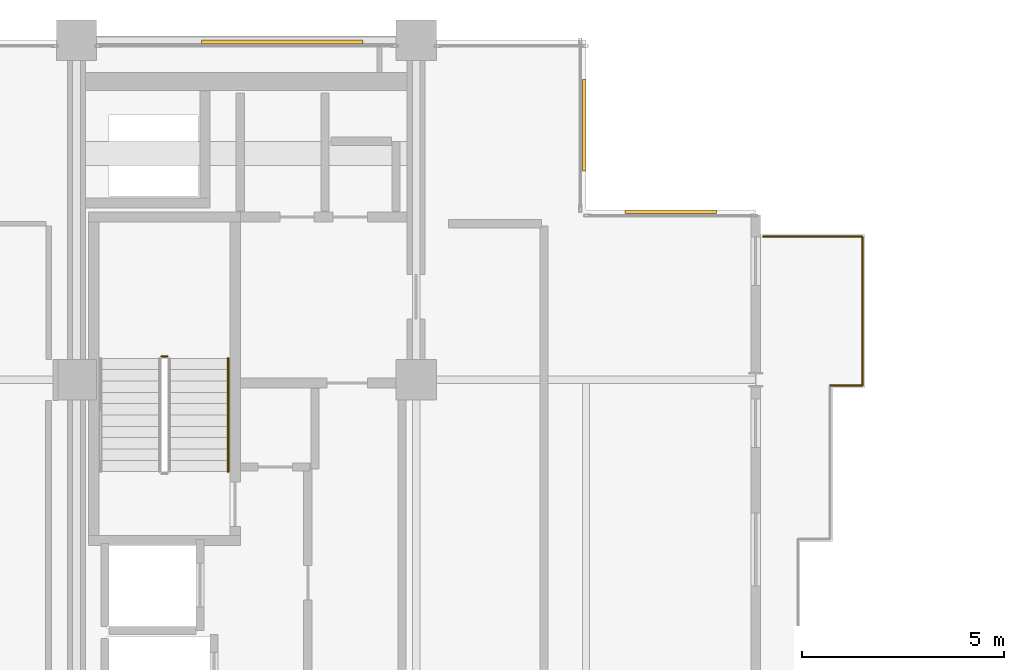
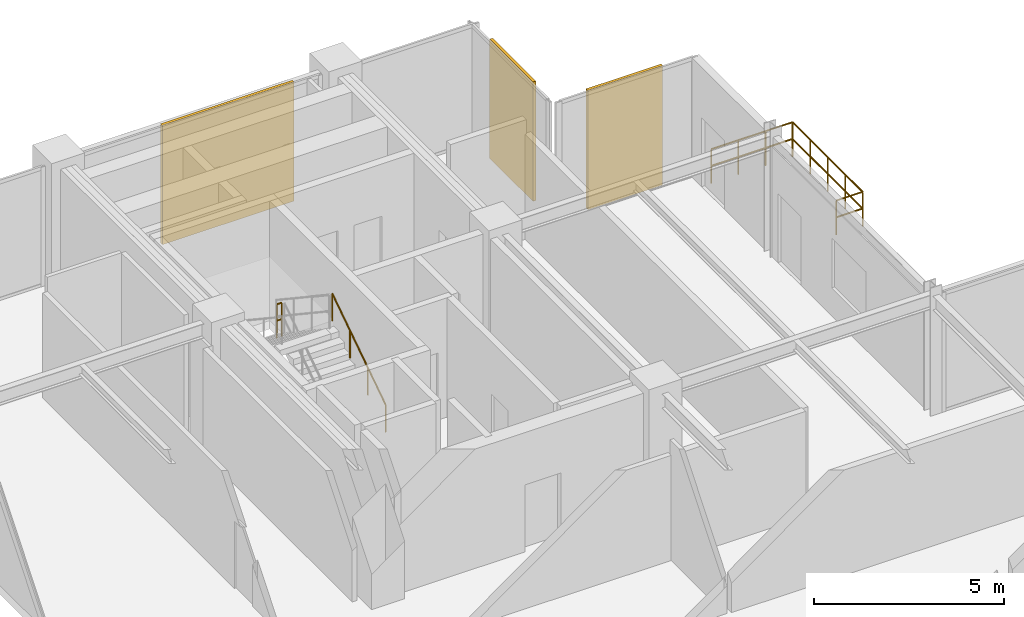
# One storey, part 25 of 25: 5 railings, 3 coverings.
"""IFC4 building model written with IfcOpenShell, lengths in metres."""

from ifc_helpers import new_model, si_unit, direction, frame, origin, origin_2d, place, context, subcontext, project, spatial, rectangle, circle, extrude, material, layer, layer_set, type_object, element, save


model = new_model("IFC4")

# Units and contexts
model_context = context("Model", 3, precision=1e-05, world=origin(), true_north=direction((0.0, 1.0)))
body_context = subcontext(model_context, "Body", "Model", "MODEL_VIEW")
ifc_project = project(units=[si_unit("LENGTHUNIT", "METRE"), si_unit("AREAUNIT", "SQUARE_METRE"), si_unit("VOLUMEUNIT", "CUBIC_METRE"), si_unit("PLANEANGLEUNIT", "RADIAN"), si_unit("MASSUNIT", "GRAM", prefix="KILO")], contexts=[model_context])

# Site, building, storey
site_placement = place(None, origin())
site = spatial("IfcSite", under=ifc_project, at=site_placement, CompositionType="ELEMENT")
building_placement = place(site_placement, origin())
building = spatial("IfcBuilding", under=site, at=building_placement, Name="Nerrivon Quay Data Exchange", CompositionType="ELEMENT")
storey_placement = place(building_placement, frame((0.0, 0.0, 224.699951171875)))
storey = spatial("IfcBuildingStorey", under=building, at=storey_placement, Name="L53", CompositionType="ELEMENT", Elevation=224.699951171875)

# Coverings
ifc_material_1 = material(Name="Architectural terracotta ceramic", Category="masonry")
ifc_layer = layer(ifc_material_1, 0.090087890625)
ifc_layer_set = layer_set([ifc_layer], Name="Architectural terracotta ceramic")
covering_type = type_object("IfcCoveringType", Name="COV-SCR-TERR", PredefinedType="CLADDING", material=ifc_layer_set)
covering_placement = place(storey_placement, frame((13.488037109375, 41.955078125, 0.0), z_axis=(0.0, 0.0, 1.0), x_axis=(1.0, 0.0, 0.0)))
element("IfcCovering", 1, at=covering_placement, inside=storey, type_object=covering_type, Name="L53 Perforated Terracotta SOLAR SCREEN Cassette", PredefinedType="CLADDING", context=body_context, shape_type="SweptSolid", body=[
    extrude(rectangle(XDim=3.99609375, YDim=0.090087890625, at=origin_2d()), origin(), (0.0, 0.0, 1.0), 3.824951171875),
])
for number, where, z_axis, x_axis, name in (
    (2, (20.955078125, 39.89990234375, 0.0), (0.0, 0.0, 1.0), (0.0, -1.0, 0.0), "L53 Perforated Terracotta SOLAR SCREEN Cassette"),
    (3, (23.10009765625, 37.7548828125, 0.0), (0.0, 0.0, 1.0), (1.0, 0.0, 0.0), "L53 Perforated Terracotta SOLAR SCREEN Cassette"),
):
    element("IfcCovering", number, at=place(storey_placement, frame(where, z_axis=z_axis, x_axis=x_axis)), inside=storey, type_object=covering_type, Name=name, PredefinedType="CLADDING", context=body_context, shape_type="SweptSolid", body=[
        extrude(rectangle(XDim=2.26806640625, YDim=0.090087890625, at=origin_2d()), origin(), (0.0, 0.0, 1.0), 3.824951171875),
    ])

# Railings
ifc_material_2 = material(Name="Steel Grade C350L0 (350 MPa)", Category="steel")
railing_type_1 = type_object("IfcRailingType", Name="RAIL-GUARD-GR2", PredefinedType="BALUSTRADE", material=ifc_material_2)
railing_1_placement = place(storey_placement, frame((25.3798828125, 37.139892578125, 0.0)))
element("IfcRailing", 4, at=railing_1_placement, inside=storey, type_object=railing_type_1, Name="L53 Verandah Balcony Guard 1.3 1", PredefinedType="BALUSTRADE", context=body_context, shape_type="SweptSolid", body=[
    extrude(circle(Radius=0.02392578125, at=origin_2d()), frame((0.0, 0.0, 1.09619140625), z_axis=(1.0, 0.0, 0.0), x_axis=(0.0, 1.0, 0.0)), (0.0, 0.0, 1.0), 2.460205078125),
    extrude(circle(Radius=0.02392578125, at=origin_2d()), frame((0.0, 0.0, 0.56005859375), z_axis=(1.0, 0.0, 0.0), x_axis=(0.0, 1.0, 0.0)), (0.0, 0.0, 1.0), 2.460205078125),
    extrude(circle(Radius=0.02099609375, at=origin_2d()), origin(), (0.0, 0.0, 1.0), 1.072021484375),
    extrude(circle(Radius=0.02099609375, at=origin_2d()), frame((0.820068359375, 0.0, 0.0)), (0.0, 0.0, 1.0), 1.072021484375),
    extrude(circle(Radius=0.02099609375, at=origin_2d()), frame((1.64013671875, 0.0, 0.0)), (0.0, 0.0, 1.0), 1.072021484375),
    extrude(circle(Radius=0.02099609375, at=origin_2d()), frame((2.460205078125, 0.0, 0.0)), (0.0, 0.0, 1.0), 1.072021484375),
])
railing_2_placement = place(storey_placement, frame((27.840087890625, 37.139892578125, 0.0)))
element("IfcRailing", 5, at=railing_2_placement, inside=storey, type_object=railing_type_1, Name="L53 Verandah Balcony Guard 1.4 1", PredefinedType="BALUSTRADE", context=body_context, shape_type="SweptSolid", body=[
    extrude(circle(Radius=0.02392578125, at=origin_2d()), frame((0.0, 0.0, 1.09619140625), z_axis=(0.0, -1.0, 0.0), x_axis=(1.0, 0.0, 0.0)), (0.0, 0.0, 1.0), 3.679931640625),
    extrude(circle(Radius=0.02392578125, at=origin_2d()), frame((0.0, 0.0, 0.56005859375), z_axis=(0.0, -1.0, 0.0), x_axis=(1.0, 0.0, 0.0)), (0.0, 0.0, 1.0), 3.679931640625),
    extrude(circle(Radius=0.02099609375, at=origin_2d()), origin(), (0.0, 0.0, 1.0), 1.072021484375),
    extrude(circle(Radius=0.02099609375, at=origin_2d()), frame((0.0, -0.919921875, 0.0)), (0.0, 0.0, 1.0), 1.072021484375),
    extrude(circle(Radius=0.02099609375, at=origin_2d()), frame((0.0, -1.83984375, 0.0)), (0.0, 0.0, 1.0), 1.072021484375),
    extrude(circle(Radius=0.02099609375, at=origin_2d()), frame((0.0, -2.760009765625, 0.0)), (0.0, 0.0, 1.0), 1.072021484375),
    extrude(circle(Radius=0.02099609375, at=origin_2d()), frame((0.0, -3.679931640625, 0.0)), (0.0, 0.0, 1.0), 1.072021484375),
])
railing_3_placement = place(storey_placement, frame((27.840087890625, 33.4599609375, 0.0)))
element("IfcRailing", 6, at=railing_3_placement, inside=storey, type_object=railing_type_1, Name="L53 Verandah Balcony Guard 1.5 1", PredefinedType="BALUSTRADE", context=body_context, shape_type="SweptSolid", body=[
    extrude(circle(Radius=0.02392578125, at=origin_2d()), frame((0.0, 0.0, 1.09619140625), z_axis=(-1.0, 0.0, 0.0), x_axis=(0.0, -1.0, 0.0)), (0.0, 0.0, 1.0), 0.800048828125),
    extrude(circle(Radius=0.02392578125, at=origin_2d()), frame((0.0, 0.0, 0.56005859375), z_axis=(-1.0, 0.0, 0.0), x_axis=(0.0, -1.0, 0.0)), (0.0, 0.0, 1.0), 0.800048828125),
    extrude(circle(Radius=0.02099609375, at=origin_2d()), origin(), (0.0, 0.0, 1.0), 1.072021484375),
    extrude(circle(Radius=0.02099609375, at=origin_2d()), frame((-0.800048828125, 0.0, 0.0)), (0.0, 0.0, 1.0), 1.072021484375),
])
railing_type_2 = type_object("IfcRailingType", Name="RAIL-HAND-HR1", PredefinedType="HANDRAIL", material=ifc_material_2)
railing_4_placement = place(storey_placement, frame((12.14990234375, 31.330078125, 0.1865234375)))
element("IfcRailing", 7, at=railing_4_placement, inside=storey, type_object=railing_type_2, Name="L53 ST01 stair handrail 1", PredefinedType="HANDRAIL", context=body_context, shape_type="SweptSolid", body=[
    extrude(circle(Radius=0.02392578125, at=origin_2d()), frame((0.0, 0.0, 0.8759765625), z_axis=(0.0, 0.832463268671, 0.554080234545), x_axis=(-1.0, 0.0, 0.0)), (0.0, 0.0, 1.0), 3.36328125),
    extrude(circle(Radius=0.02099609375, at=origin_2d()), origin(), (0.0, 0.0, 1.0), 0.851806640625),
    extrude(circle(Radius=0.02099609375, at=origin_2d()), frame((0.0, 0.933349609375, 0.62109375)), (0.0, 0.0, 1.0), 0.851806640625),
    extrude(circle(Radius=0.02099609375, at=origin_2d()), frame((0.0, 1.866455078125, 1.242431640625)), (0.0, 0.0, 1.0), 0.851806640625),
    extrude(circle(Radius=0.02099609375, at=origin_2d()), frame((0.0, 2.7998046875, 1.863525390625)), (0.0, 0.0, 1.0), 0.851806640625),
])
railing_type_3 = type_object("IfcRailingType", Name="RAIL-STAIR-GR1", PredefinedType="BALUSTRADE", material=ifc_material_2)
railing_5_placement = place(storey_placement, frame((10.64990234375, 34.179931640625, 2.050048828125)))
element("IfcRailing", 8, at=railing_5_placement, inside=storey, type_object=railing_type_3, Name="L53 ST01 stair guard 2", PredefinedType="BALUSTRADE", context=body_context, shape_type="SweptSolid", body=[
    extrude(circle(Radius=0.02392578125, at=origin_2d()), frame((0.0, 0.0, 1.076171875), z_axis=(-1.0, 0.0, 0.0), x_axis=(0.0, -1.0, 0.0)), (0.0, 0.0, 1.0), 0.14990234375),
    extrude(circle(Radius=0.02392578125, at=origin_2d()), frame((0.0, 0.0, 0.550048828125), z_axis=(-1.0, 0.0, 0.0), x_axis=(0.0, -1.0, 0.0)), (0.0, 0.0, 1.0), 0.14990234375),
    extrude(circle(Radius=0.02099609375, at=origin_2d()), origin(), (0.0, 0.0, 1.0), 1.052001953125),
    extrude(circle(Radius=0.02099609375, at=origin_2d()), frame((-0.14990234375, 0.0, 0.0)), (0.0, 0.0, 1.0), 1.052001953125),
])

save(model, "model.ifc")
